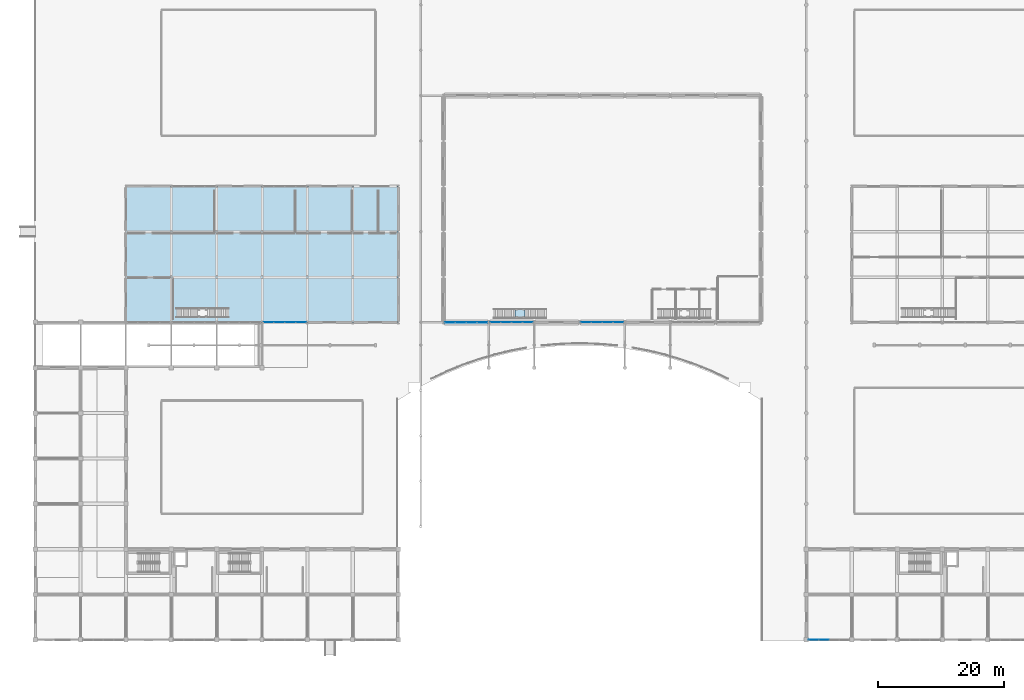
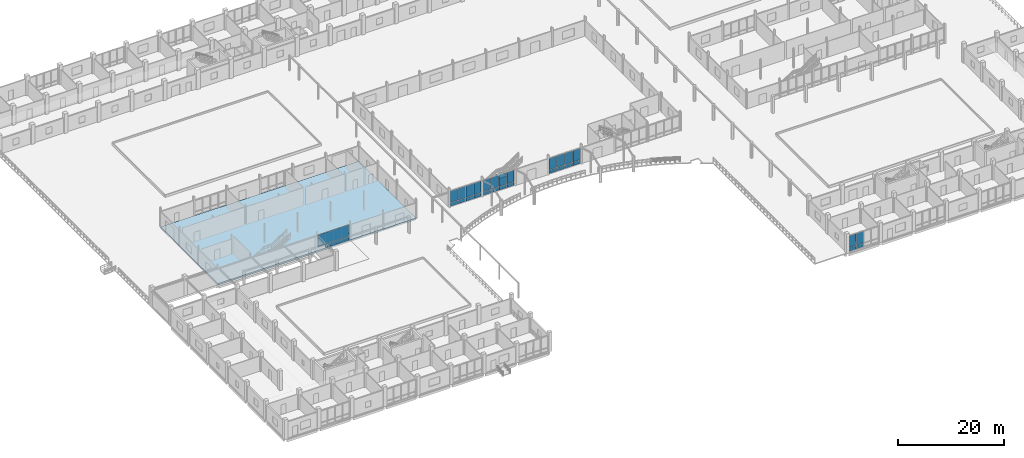
# One storey, part 102 of 139: 35 plates, 2 slabs, 6 elements without a shape of their own.
"""IFC4 building model written with IfcOpenShell, lengths in metres."""

import ifcopenshell
import ifcopenshell.guid

model = None  # the IFC model being written
_history = None  # IfcOwnerHistory: only IFC2X3 demands one
_inside = {}  # id of a spatial element -> (the spatial element, [elements in it])
_under = {}  # id of a project, library or spatial element -> (it, [spatial elements below it])
_declared = {}  # id of a project -> (the project, [libraries it declares])
_typed = {}  # id of a type object -> (the type object, [elements of that type])
_made_of = {}  # id of a material, layer set ... -> (it, [elements and type objects made of it])


def new_model(schema):
    """Start an empty IFC model of exactly this schema.

    Asked for "IFC4X3", IfcOpenShell would pick the latest addendum, in which some entities
    have other attributes; the version numbers below select the first issue.
    IFC2X3 requires an IfcOwnerHistory on every rooted entity: one is made here for all.
    """
    global model, _history
    if schema == "IFC4X3":
        model = ifcopenshell.file(schema_version=(4, 3, 0, 0))
    else:
        model = ifcopenshell.file(schema=schema)
    _inside.clear()
    _under.clear()
    _declared.clear()
    _typed.clear()
    _made_of.clear()
    _history = None
    if model.schema == "IFC2X3":
        org = make("IfcOrganization", Name="unknown")
        user = make(
            "IfcPersonAndOrganization",
            ThePerson=make("IfcPerson", FamilyName="unknown"),
            TheOrganization=org,
        )
        app = make(
            "IfcApplication",
            ApplicationDeveloper=org,
            Version="unknown",
            ApplicationFullName="unknown",
            ApplicationIdentifier="unknown",
        )
        _history = make(
            "IfcOwnerHistory",
            OwningUser=user,
            OwningApplication=app,
            ChangeAction="ADDED",
            CreationDate=0,
        )
    return model


def make(cls, **values):
    """One entity of the class cls with the attributes given. An attribute that is None is left unset."""
    return model.create_entity(
        cls, **{name: value for name, value in values.items() if value is not None}
    )


def rooted(cls, **values):
    """An entity with a GlobalId (a new one), such as an element, a storey or a relation."""
    return make(cls, GlobalId=ifcopenshell.guid.new(), OwnerHistory=_history, **values)


def si_unit(unit_type, name, prefix=None):
    """IfcSIUnit, for example si_unit("LENGTHUNIT", "METRE", prefix="MILLI")."""
    return make("IfcSIUnit", UnitType=unit_type, Prefix=prefix, Name=name)


def assignment(units):
    """IfcUnitAssignment: the units of a project."""
    return None if units is None else make("IfcUnitAssignment", Units=units)


def point(xyz):
    """IfcCartesianPoint."""
    return None if xyz is None else make("IfcCartesianPoint", Coordinates=xyz)


def direction(xyz):
    """IfcDirection."""
    return None if xyz is None else make("IfcDirection", DirectionRatios=xyz)


def frame(location, z_axis=None, x_axis=None):
    """IfcAxis2Placement3D, a coordinate frame: its origin and axes. An axis left out is left unset."""
    return make(
        "IfcAxis2Placement3D",
        Location=point(location),
        Axis=direction(z_axis),
        RefDirection=direction(x_axis),
    )


def frame_2d(location, x_axis=None):
    """IfcAxis2Placement2D, a coordinate frame in the plane: its origin and x axis."""
    return make(
        "IfcAxis2Placement2D", Location=point(location), RefDirection=direction(x_axis)
    )


def origin():
    """The frame at (0, 0, 0) with its axes left unset."""
    return frame((0.0, 0.0, 0.0))


def origin_2d():
    """The frame at (0, 0) in the plane with its x axis left unset."""
    return frame_2d((0.0, 0.0))


def place(relative_to, where):
    """IfcLocalPlacement: puts the frame where relative to a parent placement (None: the world)."""
    return make(
        "IfcLocalPlacement", PlacementRelTo=relative_to, RelativePlacement=where
    )


def context(
    kind, dimensions, precision=None, world=None, true_north=None, identifier=None
):
    """IfcGeometricRepresentationContext, for example the 3D "Model" context."""
    return make(
        "IfcGeometricRepresentationContext",
        ContextIdentifier=identifier,
        ContextType=kind,
        CoordinateSpaceDimension=dimensions,
        Precision=precision,
        WorldCoordinateSystem=world,
        TrueNorth=true_north,
    )


def subcontext(parent, identifier, kind, view, scale=None):
    """IfcGeometricRepresentationSubContext, for example "Body" below "Model"."""
    return make(
        "IfcGeometricRepresentationSubContext",
        ContextIdentifier=identifier,
        ContextType=kind,
        ParentContext=parent,
        TargetScale=scale,
        TargetView=view,
    )


def project(units=None, contexts=None):
    """IfcProject with its units and contexts."""
    return rooted(
        "IfcProject",
        Name="project",
        RepresentationContexts=contexts,
        UnitsInContext=assignment(units),
    )


def spatial(cls, under=None, at=None, **own):
    """A site, building, storey or space (cls), placed at a placement, below another one or the project."""
    s = rooted(cls, ObjectPlacement=at, **own)
    if under is not None:
        _under.setdefault(under.id(), (under, []))[1].append(s)
    return s


def polyline(points):
    """IfcPolyline through the points."""
    return make("IfcPolyline", Points=[point(p) for p in points])


def profile(cls, at=None, kind="AREA", **sizes):
    """A parametric profile (cls). Its sizes go by their IFC names, for example OverallWidth=200.0."""
    return make(cls, ProfileType=kind, Position=at, **sizes)


def rectangle(**sizes):
    """IfcRectangleProfileDef."""
    return profile("IfcRectangleProfileDef", **sizes)


def outline(outer, holes=None, kind="AREA"):
    """IfcArbitraryClosedProfileDef: a profile drawn as a closed curve; with holes, ...WithVoids."""
    if holes is None:
        return make("IfcArbitraryClosedProfileDef", ProfileType=kind, OuterCurve=outer)
    return make(
        "IfcArbitraryProfileDefWithVoids",
        ProfileType=kind,
        OuterCurve=outer,
        InnerCurves=holes,
    )


def extrude(swept, where, along, depth):
    """IfcExtrudedAreaSolid: the profile swept, set in the frame where, extruded along a direction by depth."""
    return make(
        "IfcExtrudedAreaSolid",
        SweptArea=swept,
        Position=where,
        ExtrudedDirection=direction(along),
        Depth=depth,
    )


def shape(context_of_items, identifier, shape_type, items):
    """IfcShapeRepresentation: the items that make up one representation, for example the "Body"."""
    return make(
        "IfcShapeRepresentation",
        ContextOfItems=context_of_items,
        RepresentationIdentifier=identifier,
        RepresentationType=shape_type,
        Items=items,
    )


def material(Name=None, Category=None):
    """IfcMaterial."""
    return make("IfcMaterial", Name=Name, Category=Category)


def layer(
    of_material, thickness, ventilated=None, Name=None, Category=None, Priority=None
):
    """IfcMaterialLayer: one layer of a wall or slab, of a material (None: an air gap)."""
    return make(
        "IfcMaterialLayer",
        Material=of_material,
        LayerThickness=thickness,
        IsVentilated=ventilated,
        Name=Name,
        Category=Category,
        Priority=Priority,
    )


def layer_set(layers, Name=None):
    """IfcMaterialLayerSet."""
    return make("IfcMaterialLayerSet", MaterialLayers=layers, LayerSetName=Name)


def made_of(thing, what):
    """Note that an element or type object is made of a material, layer set ...; save() writes the relation."""
    if what is not None:
        _made_of.setdefault(what.id(), (what, []))[1].append(thing)
    return thing


def type_object(cls, material=None, **own):
    """A type object (cls), such as IfcWallType, which elements share."""
    return made_of(rooted(cls, **own), material)


def element(
    cls,
    number,
    at=None,
    inside=None,
    cuts=None,
    type_object=None,
    material=None,
    context=None,
    identifier="Body",
    shape_type=None,
    held_by="IfcProductDefinitionShape",
    body=None,
    shapes=None,
    **own,
):
    """One element of the class cls, such as IfcWall. Its Tag is "e" and its number.

    at: its placement. inside: the storey or other place that contains it. cuts: it is an
    opening in that element (IfcRelVoidsElement). A single representation is given by context,
    identifier, shape_type and body (its items); several are given by shapes. held_by: the class
    of the entity that holds the representations. save() writes the other relations.
    """
    e = rooted(cls, Tag="e%d" % number, ObjectPlacement=at, **own)
    if body is not None:
        shapes = [shape(context, identifier, shape_type, body)]
    if shapes is not None:
        e.Representation = make(held_by, Representations=shapes)
    if inside is not None:
        _inside.setdefault(inside.id(), (inside, []))[1].append(e)
    if cuts is not None:
        rooted(
            "IfcRelVoidsElement", RelatingBuildingElement=cuts, RelatedOpeningElement=e
        )
    if type_object is not None:
        _typed.setdefault(type_object.id(), (type_object, []))[1].append(e)
    return made_of(e, material)


def aggregate(whole, parts):
    """IfcRelAggregates: a whole, such as a stair, and the parts it consists of."""
    return rooted("IfcRelAggregates", RelatingObject=whole, RelatedObjects=parts)


def save(model, path):
    """Write the relations noted so far, then the file.

    IfcRelAggregates (storeys below a building ...), IfcRelContainedInSpatialStructure (elements
    in a storey), IfcRelDefinesByType, IfcRelAssociatesMaterial and IfcRelDeclares: one each for
    every whole, place, type object, material and project.
    """
    for whole, parts in _under.values():
        aggregate(whole, parts)
    for where, things in _inside.values():
        rooted(
            "IfcRelContainedInSpatialStructure",
            RelatedElements=things,
            RelatingStructure=where,
        )
    for kind, things in _typed.values():
        rooted("IfcRelDefinesByType", RelatedObjects=things, RelatingType=kind)
    for what, things in _made_of.values():
        rooted("IfcRelAssociatesMaterial", RelatedObjects=things, RelatingMaterial=what)
    for by, libraries in _declared.values():
        rooted("IfcRelDeclares", RelatingContext=by, RelatedDefinitions=libraries)
    model.write(path)


model = new_model("IFC4")

# Units and contexts
model_context = context("Model", 3, precision=1e-05, world=origin(), true_north=direction((0.0, 1.0)))
body_context = subcontext(model_context, "Body", "Model", "MODEL_VIEW")
ifc_project = project(units=[si_unit("LENGTHUNIT", "METRE"), si_unit("AREAUNIT", "SQUARE_METRE"), si_unit("VOLUMEUNIT", "CUBIC_METRE"), si_unit("PLANEANGLEUNIT", "RADIAN"), si_unit("MASSUNIT", "GRAM", prefix="KILO")], contexts=[model_context])

# Site, building, storey
site_placement = place(None, origin())
site = spatial("IfcSite", under=ifc_project, at=site_placement, CompositionType="ELEMENT")
building_placement = place(site_placement, origin())
building = spatial("IfcBuilding", under=site, at=building_placement, Name="Suanplinth Sawtooth Commons", CompositionType="ELEMENT")
storey_placement = place(building_placement, origin())
storey = spatial("IfcBuildingStorey", under=building, at=storey_placement, Name="L00", CompositionType="ELEMENT", Elevation=0.0)

# Curtain wall, plates
ifc_material_1 = material(Name="Anodized aluminium and low-E glazing", Category="aluminium")
curtain_wall_type_1 = type_object("IfcCurtainWallType", Name="CW-02", PredefinedType="USERDEFINED", material=ifc_material_1)
curtain_wall_1_placement = place(storey_placement, origin())
curtain_wall_1 = element("IfcCurtainWall", 1, at=curtain_wall_1_placement, inside=storey, type_object=curtain_wall_type_1, Name="Curtain Wall CW-L00-MKT-S-5", ObjectType="CURTAIN WALL", PredefinedType="USERDEFINED")
ifc_material_2 = material(Name="Tempered low-E double glazing", Category="glass")
ifc_layer_1 = layer(ifc_material_2, 0.028076171875, Name="Vision low-E insulated glazing unit 28mm")
ifc_layer_set_1 = layer_set([ifc_layer_1], Name="Tempered low-E double glazing")
plate_type_1 = type_object("IfcPlateType", Name="PL-05", PredefinedType="CURTAIN_PANEL", material=ifc_layer_set_1)
plate_1_placement = place(storey_placement, frame((37.02880859375, 50.39990234375, 0.9326171875), z_axis=(0.0, 0.0, 1.0), x_axis=(1.0, 0.0, 0.0)))
plate_1 = element("IfcPlate", 2, at=plate_1_placement, type_object=plate_type_1, Name="CW-02 panel 1.2", PredefinedType="CURTAIN_PANEL", context=body_context, shape_type="SweptSolid", body=[
    extrude(rectangle(XDim=1.62744140625, YDim=0.028076171875, at=origin_2d()), origin(), (0.0, 0.0, 1.0), 2.652587890625),
])
plate_2_placement = place(storey_placement, frame((38.737548828125, 50.39990234375, 0.06494140625), z_axis=(0.0, 0.0, 1.0), x_axis=(1.0, 0.0, 0.0)))
plate_2 = element("IfcPlate", 3, at=plate_2_placement, type_object=plate_type_1, Name="CW-02 panel 2.1", PredefinedType="CURTAIN_PANEL", context=body_context, shape_type="SweptSolid", body=[
    extrude(rectangle(XDim=1.659912109375, YDim=0.028076171875, at=origin_2d()), origin(), (0.0, 0.0, 1.0), 0.802490234375),
])
plate_3_placement = place(storey_placement, frame((38.737548828125, 50.39990234375, 0.9326171875), z_axis=(0.0, 0.0, 1.0), x_axis=(1.0, 0.0, 0.0)))
plate_3 = element("IfcPlate", 4, at=plate_3_placement, type_object=plate_type_1, Name="CW-02 panel 2.2", PredefinedType="CURTAIN_PANEL", context=body_context, shape_type="SweptSolid", body=[
    extrude(rectangle(XDim=1.659912109375, YDim=0.028076171875, at=origin_2d()), origin(), (0.0, 0.0, 1.0), 2.652587890625),
])
plate_4_placement = place(storey_placement, frame((40.46240234375, 50.39990234375, 0.06494140625), z_axis=(0.0, 0.0, 1.0), x_axis=(1.0, 0.0, 0.0)))
plate_4 = element("IfcPlate", 5, at=plate_4_placement, type_object=plate_type_1, Name="CW-02 panel 3.1", PredefinedType="CURTAIN_PANEL", context=body_context, shape_type="SweptSolid", body=[
    extrude(rectangle(XDim=1.659912109375, YDim=0.028076171875, at=origin_2d()), origin(), (0.0, 0.0, 1.0), 0.802490234375),
])
plate_5_placement = place(storey_placement, frame((40.46240234375, 50.39990234375, 0.9326171875), z_axis=(0.0, 0.0, 1.0), x_axis=(1.0, 0.0, 0.0)))
plate_5 = element("IfcPlate", 6, at=plate_5_placement, type_object=plate_type_1, Name="CW-02 panel 3.2", PredefinedType="CURTAIN_PANEL", context=body_context, shape_type="SweptSolid", body=[
    extrude(rectangle(XDim=1.659912109375, YDim=0.028076171875, at=origin_2d()), origin(), (0.0, 0.0, 1.0), 2.652587890625),
])
plate_6_placement = place(storey_placement, frame((42.171142578125, 50.39990234375, 0.06494140625), z_axis=(0.0, 0.0, 1.0), x_axis=(1.0, 0.0, 0.0)))
plate_6 = element("IfcPlate", 7, at=plate_6_placement, type_object=plate_type_1, Name="CW-02 panel 4.1", PredefinedType="CURTAIN_PANEL", context=body_context, shape_type="SweptSolid", body=[
    extrude(rectangle(XDim=1.62744140625, YDim=0.028076171875, at=origin_2d()), origin(), (0.0, 0.0, 1.0), 0.802490234375),
])
plate_7_placement = place(storey_placement, frame((42.171142578125, 50.39990234375, 0.9326171875), z_axis=(0.0, 0.0, 1.0), x_axis=(1.0, 0.0, 0.0)))
plate_7 = element("IfcPlate", 8, at=plate_7_placement, type_object=plate_type_1, Name="CW-02 panel 4.2", PredefinedType="CURTAIN_PANEL", context=body_context, shape_type="SweptSolid", body=[
    extrude(rectangle(XDim=1.62744140625, YDim=0.028076171875, at=origin_2d()), origin(), (0.0, 0.0, 1.0), 2.652587890625),
])
aggregate(curtain_wall_1, [plate_1, plate_2, plate_3, plate_4, plate_5, plate_6, plate_7])

curtain_wall_type_2 = type_object("IfcCurtainWallType", Name="CW-04", PredefinedType="USERDEFINED", material=ifc_material_1)
curtain_wall_2_placement = place(storey_placement, origin())
curtain_wall_2 = element("IfcCurtainWall", 9, at=curtain_wall_2_placement, inside=storey, type_object=curtain_wall_type_2, Name="Curtain Wall CW-L00-C-S-17", ObjectType="CURTAIN WALL", PredefinedType="USERDEFINED")
plate_8_placement = place(storey_placement, frame((123.578857421875, 0.0, 0.06494140625), z_axis=(0.0, 0.0, 1.0), x_axis=(1.0, 0.0, 0.0)))
plate_8 = element("IfcPlate", 10, at=plate_8_placement, type_object=plate_type_1, Name="CW-04 panel 1.1", PredefinedType="CURTAIN_PANEL", context=body_context, shape_type="SweptSolid", body=[
    extrude(rectangle(XDim=1.527587890625, YDim=0.028076171875, at=origin_2d()), origin(), (0.0, 0.0, 1.0), 0.802490234375),
])
plate_9_placement = place(storey_placement, frame((123.578857421875, 0.0, 0.932373046875), z_axis=(0.0, 0.0, 1.0), x_axis=(1.0, 0.0, 0.0)))
plate_9 = element("IfcPlate", 11, at=plate_9_placement, type_object=plate_type_1, Name="CW-04 panel 1.2", PredefinedType="CURTAIN_PANEL", context=body_context, shape_type="SweptSolid", body=[
    extrude(rectangle(XDim=1.527587890625, YDim=0.028076171875, at=origin_2d()), origin(), (0.0, 0.0, 1.0), 2.6826171875),
])
plate_10_placement = place(storey_placement, frame((125.1875, 0.0, 0.06494140625), z_axis=(0.0, 0.0, 1.0), x_axis=(1.0, 0.0, 0.0)))
plate_10 = element("IfcPlate", 12, at=plate_10_placement, type_object=plate_type_1, Name="CW-04 panel 2.1", PredefinedType="CURTAIN_PANEL", context=body_context, shape_type="SweptSolid", body=[
    extrude(rectangle(XDim=1.56005859375, YDim=0.028076171875, at=origin_2d()), origin(), (0.0, 0.0, 1.0), 0.802490234375),
])
plate_11_placement = place(storey_placement, frame((125.1875, 0.0, 0.932373046875), z_axis=(0.0, 0.0, 1.0), x_axis=(1.0, 0.0, 0.0)))
plate_11 = element("IfcPlate", 13, at=plate_11_placement, type_object=plate_type_1, Name="CW-04 panel 2.2", PredefinedType="CURTAIN_PANEL", context=body_context, shape_type="SweptSolid", body=[
    extrude(rectangle(XDim=1.56005859375, YDim=0.028076171875, at=origin_2d()), origin(), (0.0, 0.0, 1.0), 2.6826171875),
])
aggregate(curtain_wall_2, [plate_8, plate_9, plate_10, plate_11])

curtain_wall_type_3 = type_object("IfcCurtainWallType", Name="CW-01", PredefinedType="USERDEFINED", material=ifc_material_1)
curtain_wall_3_placement = place(storey_placement, origin())
curtain_wall_3 = element("IfcCurtainWall", 14, at=curtain_wall_3_placement, inside=storey, type_object=curtain_wall_type_3, Name="Curtain Wall CW-L00-HALL-S-1", ObjectType="CURTAIN WALL", PredefinedType="USERDEFINED")
ifc_material_3 = material(Name="Laminated solar-control acoustic glazing", Category="glass")
ifc_layer_2 = layer(ifc_material_3, 0.031982421875, Name="Acoustic laminated vision glazing panel 32mm")
ifc_layer_set_2 = layer_set([ifc_layer_2], Name="Laminated solar-control acoustic glazing")
plate_type_2 = type_object("IfcPlateType", Name="PL-06", PredefinedType="CURTAIN_PANEL", material=ifc_layer_set_2)
plate_12_placement = place(storey_placement, frame((73.03125, 50.39990234375, 0.074951171875), z_axis=(0.0, 0.0, 1.0), x_axis=(1.0, 0.0, 0.0)))
plate_12 = element("IfcPlate", 15, at=plate_12_placement, type_object=plate_type_2, Name="CW-01 panel 1.1", PredefinedType="CURTAIN_PANEL", context=body_context, shape_type="SweptSolid", body=[
    extrude(rectangle(XDim=1.612548828125, YDim=0.031982421875, at=origin_2d()), origin(), (0.0, 0.0, 1.0), 0.78759765625),
])
plate_13_placement = place(storey_placement, frame((73.03125, 50.39990234375, 0.9375), z_axis=(0.0, 0.0, 1.0), x_axis=(1.0, 0.0, 0.0)))
plate_13 = element("IfcPlate", 16, at=plate_13_placement, type_object=plate_type_2, Name="CW-01 panel 1.2", PredefinedType="CURTAIN_PANEL", context=body_context, shape_type="SweptSolid", body=[
    extrude(rectangle(XDim=1.612548828125, YDim=0.031982421875, at=origin_2d()), origin(), (0.0, 0.0, 1.0), 2.637451171875),
])
plate_14_placement = place(storey_placement, frame((74.737548828125, 50.39990234375, 0.074951171875), z_axis=(0.0, 0.0, 1.0), x_axis=(1.0, 0.0, 0.0)))
plate_14 = element("IfcPlate", 17, at=plate_14_placement, type_object=plate_type_2, Name="CW-01 panel 2.1", PredefinedType="CURTAIN_PANEL", context=body_context, shape_type="SweptSolid", body=[
    extrude(rectangle(XDim=1.64990234375, YDim=0.031982421875, at=origin_2d()), origin(), (0.0, 0.0, 1.0), 0.78759765625),
])
plate_15_placement = place(storey_placement, frame((74.737548828125, 50.39990234375, 0.9375), z_axis=(0.0, 0.0, 1.0), x_axis=(1.0, 0.0, 0.0)))
plate_15 = element("IfcPlate", 18, at=plate_15_placement, type_object=plate_type_2, Name="CW-01 panel 2.2", PredefinedType="CURTAIN_PANEL", context=body_context, shape_type="SweptSolid", body=[
    extrude(rectangle(XDim=1.64990234375, YDim=0.031982421875, at=origin_2d()), origin(), (0.0, 0.0, 1.0), 2.637451171875),
])
plate_16_placement = place(storey_placement, frame((76.46240234375, 50.39990234375, 0.074951171875), z_axis=(0.0, 0.0, 1.0), x_axis=(1.0, 0.0, 0.0)))
plate_16 = element("IfcPlate", 19, at=plate_16_placement, type_object=plate_type_2, Name="CW-01 panel 3.1", PredefinedType="CURTAIN_PANEL", context=body_context, shape_type="SweptSolid", body=[
    extrude(rectangle(XDim=1.64990234375, YDim=0.031982421875, at=origin_2d()), origin(), (0.0, 0.0, 1.0), 0.78759765625),
])
plate_17_placement = place(storey_placement, frame((76.46240234375, 50.39990234375, 0.9375), z_axis=(0.0, 0.0, 1.0), x_axis=(1.0, 0.0, 0.0)))
plate_17 = element("IfcPlate", 20, at=plate_17_placement, type_object=plate_type_2, Name="CW-01 panel 3.2", PredefinedType="CURTAIN_PANEL", context=body_context, shape_type="SweptSolid", body=[
    extrude(rectangle(XDim=1.64990234375, YDim=0.031982421875, at=origin_2d()), origin(), (0.0, 0.0, 1.0), 2.637451171875),
])
plate_18_placement = place(storey_placement, frame((78.168701171875, 50.39990234375, 0.074951171875), z_axis=(0.0, 0.0, 1.0), x_axis=(1.0, 0.0, 0.0)))
plate_18 = element("IfcPlate", 21, at=plate_18_placement, type_object=plate_type_2, Name="CW-01 panel 4.1", PredefinedType="CURTAIN_PANEL", context=body_context, shape_type="SweptSolid", body=[
    extrude(rectangle(XDim=1.612548828125, YDim=0.031982421875, at=origin_2d()), origin(), (0.0, 0.0, 1.0), 0.78759765625),
])
plate_19_placement = place(storey_placement, frame((78.168701171875, 50.39990234375, 0.9375), z_axis=(0.0, 0.0, 1.0), x_axis=(1.0, 0.0, 0.0)))
plate_19 = element("IfcPlate", 22, at=plate_19_placement, type_object=plate_type_2, Name="CW-01 panel 4.2", PredefinedType="CURTAIN_PANEL", context=body_context, shape_type="SweptSolid", body=[
    extrude(rectangle(XDim=1.612548828125, YDim=0.031982421875, at=origin_2d()), origin(), (0.0, 0.0, 1.0), 2.637451171875),
])
aggregate(curtain_wall_3, [plate_12, plate_13, plate_14, plate_15, plate_16, plate_17, plate_18, plate_19])

curtain_wall_4_placement = place(storey_placement, origin())
curtain_wall_4 = element("IfcCurtainWall", 23, at=curtain_wall_4_placement, inside=storey, type_object=curtain_wall_type_3, Name="Curtain Wall CW-L00-HALL-S-3", ObjectType="CURTAIN WALL", PredefinedType="USERDEFINED")
plate_20_placement = place(storey_placement, frame((87.43115234375, 50.39990234375, 0.074951171875), z_axis=(0.0, 0.0, 1.0), x_axis=(1.0, 0.0, 0.0)))
plate_20 = element("IfcPlate", 24, at=plate_20_placement, type_object=plate_type_2, Name="CW-01 panel 1.1", PredefinedType="CURTAIN_PANEL", context=body_context, shape_type="SweptSolid", body=[
    extrude(rectangle(XDim=1.612548828125, YDim=0.031982421875, at=origin_2d()), origin(), (0.0, 0.0, 1.0), 0.78759765625),
])
plate_21_placement = place(storey_placement, frame((87.43115234375, 50.39990234375, 0.9375), z_axis=(0.0, 0.0, 1.0), x_axis=(1.0, 0.0, 0.0)))
plate_21 = element("IfcPlate", 25, at=plate_21_placement, type_object=plate_type_2, Name="CW-01 panel 1.2", PredefinedType="CURTAIN_PANEL", context=body_context, shape_type="SweptSolid", body=[
    extrude(rectangle(XDim=1.612548828125, YDim=0.031982421875, at=origin_2d()), origin(), (0.0, 0.0, 1.0), 2.637451171875),
])
plate_22_placement = place(storey_placement, frame((89.137451171875, 50.39990234375, 0.074951171875), z_axis=(0.0, 0.0, 1.0), x_axis=(1.0, 0.0, 0.0)))
plate_22 = element("IfcPlate", 26, at=plate_22_placement, type_object=plate_type_2, Name="CW-01 panel 2.1", PredefinedType="CURTAIN_PANEL", context=body_context, shape_type="SweptSolid", body=[
    extrude(rectangle(XDim=1.64990234375, YDim=0.031982421875, at=origin_2d()), origin(), (0.0, 0.0, 1.0), 0.78759765625),
])
plate_23_placement = place(storey_placement, frame((89.137451171875, 50.39990234375, 0.9375), z_axis=(0.0, 0.0, 1.0), x_axis=(1.0, 0.0, 0.0)))
plate_23 = element("IfcPlate", 27, at=plate_23_placement, type_object=plate_type_2, Name="CW-01 panel 2.2", PredefinedType="CURTAIN_PANEL", context=body_context, shape_type="SweptSolid", body=[
    extrude(rectangle(XDim=1.64990234375, YDim=0.031982421875, at=origin_2d()), origin(), (0.0, 0.0, 1.0), 2.637451171875),
])
plate_24_placement = place(storey_placement, frame((90.862548828125, 50.39990234375, 0.074951171875), z_axis=(0.0, 0.0, 1.0), x_axis=(1.0, 0.0, 0.0)))
plate_24 = element("IfcPlate", 28, at=plate_24_placement, type_object=plate_type_2, Name="CW-01 panel 3.1", PredefinedType="CURTAIN_PANEL", context=body_context, shape_type="SweptSolid", body=[
    extrude(rectangle(XDim=1.64990234375, YDim=0.031982421875, at=origin_2d()), origin(), (0.0, 0.0, 1.0), 0.78759765625),
])
plate_25_placement = place(storey_placement, frame((90.862548828125, 50.39990234375, 0.9375), z_axis=(0.0, 0.0, 1.0), x_axis=(1.0, 0.0, 0.0)))
plate_25 = element("IfcPlate", 29, at=plate_25_placement, type_object=plate_type_2, Name="CW-01 panel 3.2", PredefinedType="CURTAIN_PANEL", context=body_context, shape_type="SweptSolid", body=[
    extrude(rectangle(XDim=1.64990234375, YDim=0.031982421875, at=origin_2d()), origin(), (0.0, 0.0, 1.0), 2.637451171875),
])
plate_26_placement = place(storey_placement, frame((92.56884765625, 50.39990234375, 0.074951171875), z_axis=(0.0, 0.0, 1.0), x_axis=(1.0, 0.0, 0.0)))
plate_26 = element("IfcPlate", 30, at=plate_26_placement, type_object=plate_type_2, Name="CW-01 panel 4.1", PredefinedType="CURTAIN_PANEL", context=body_context, shape_type="SweptSolid", body=[
    extrude(rectangle(XDim=1.612548828125, YDim=0.031982421875, at=origin_2d()), origin(), (0.0, 0.0, 1.0), 0.78759765625),
])
plate_27_placement = place(storey_placement, frame((92.56884765625, 50.39990234375, 0.9375), z_axis=(0.0, 0.0, 1.0), x_axis=(1.0, 0.0, 0.0)))
plate_27 = element("IfcPlate", 31, at=plate_27_placement, type_object=plate_type_2, Name="CW-01 panel 4.2", PredefinedType="CURTAIN_PANEL", context=body_context, shape_type="SweptSolid", body=[
    extrude(rectangle(XDim=1.612548828125, YDim=0.031982421875, at=origin_2d()), origin(), (0.0, 0.0, 1.0), 2.637451171875),
])
aggregate(curtain_wall_4, [plate_20, plate_21, plate_22, plate_23, plate_24, plate_25, plate_26, plate_27])

curtain_wall_5_placement = place(storey_placement, origin())
curtain_wall_5 = element("IfcCurtainWall", 32, at=curtain_wall_5_placement, inside=storey, type_object=curtain_wall_type_3, Name="Curtain Wall CW-L00-HALL-S-0", ObjectType="CURTAIN WALL", PredefinedType="USERDEFINED")
ifc_material_4 = material(Name="Insulated anodized aluminium spandrel panel", Category="aluminium")
ifc_layer_3 = layer(ifc_material_4, 0.0400390625, Name="Insulated shadow-box spandrel panel 40mm")
ifc_layer_set_3 = layer_set([ifc_layer_3], Name="Insulated anodized aluminium spandrel panel")
plate_type_3 = type_object("IfcPlateType", Name="PL-08", PredefinedType="CURTAIN_PANEL", material=ifc_layer_set_3)
plate_28_placement = place(storey_placement, frame((65.831298828125, 50.39990234375, 0.074951171875), z_axis=(0.0, 0.0, 1.0), x_axis=(1.0, 0.0, 0.0)))
plate_28 = element("IfcPlate", 33, at=plate_28_placement, type_object=plate_type_3, Name="CW-01 panel 1.1", PredefinedType="CURTAIN_PANEL", context=body_context, shape_type="SweptSolid", body=[
    extrude(rectangle(XDim=1.612548828125, YDim=0.0400390625, at=origin_2d()), origin(), (0.0, 0.0, 1.0), 0.78759765625),
])
plate_29_placement = place(storey_placement, frame((65.831298828125, 50.39990234375, 0.9375), z_axis=(0.0, 0.0, 1.0), x_axis=(1.0, 0.0, 0.0)))
plate_29 = element("IfcPlate", 34, at=plate_29_placement, type_object=plate_type_3, Name="CW-01 panel 1.2", PredefinedType="CURTAIN_PANEL", context=body_context, shape_type="SweptSolid", body=[
    extrude(rectangle(XDim=1.612548828125, YDim=0.0400390625, at=origin_2d()), origin(), (0.0, 0.0, 1.0), 2.637451171875),
])
plate_30_placement = place(storey_placement, frame((67.53759765625, 50.39990234375, 0.074951171875), z_axis=(0.0, 0.0, 1.0), x_axis=(1.0, 0.0, 0.0)))
plate_30 = element("IfcPlate", 35, at=plate_30_placement, type_object=plate_type_3, Name="CW-01 panel 2.1", PredefinedType="CURTAIN_PANEL", context=body_context, shape_type="SweptSolid", body=[
    extrude(rectangle(XDim=1.64990234375, YDim=0.0400390625, at=origin_2d()), origin(), (0.0, 0.0, 1.0), 0.78759765625),
])
plate_31_placement = place(storey_placement, frame((67.53759765625, 50.39990234375, 0.9375), z_axis=(0.0, 0.0, 1.0), x_axis=(1.0, 0.0, 0.0)))
plate_31 = element("IfcPlate", 36, at=plate_31_placement, type_object=plate_type_3, Name="CW-01 panel 2.2", PredefinedType="CURTAIN_PANEL", context=body_context, shape_type="SweptSolid", body=[
    extrude(rectangle(XDim=1.64990234375, YDim=0.0400390625, at=origin_2d()), origin(), (0.0, 0.0, 1.0), 2.637451171875),
])
plate_32_placement = place(storey_placement, frame((69.262451171875, 50.39990234375, 0.074951171875), z_axis=(0.0, 0.0, 1.0), x_axis=(1.0, 0.0, 0.0)))
plate_32 = element("IfcPlate", 37, at=plate_32_placement, type_object=plate_type_3, Name="CW-01 panel 3.1", PredefinedType="CURTAIN_PANEL", context=body_context, shape_type="SweptSolid", body=[
    extrude(rectangle(XDim=1.64990234375, YDim=0.0400390625, at=origin_2d()), origin(), (0.0, 0.0, 1.0), 0.78759765625),
])
plate_33_placement = place(storey_placement, frame((69.262451171875, 50.39990234375, 0.9375), z_axis=(0.0, 0.0, 1.0), x_axis=(1.0, 0.0, 0.0)))
plate_33 = element("IfcPlate", 38, at=plate_33_placement, type_object=plate_type_3, Name="CW-01 panel 3.2", PredefinedType="CURTAIN_PANEL", context=body_context, shape_type="SweptSolid", body=[
    extrude(rectangle(XDim=1.64990234375, YDim=0.0400390625, at=origin_2d()), origin(), (0.0, 0.0, 1.0), 2.637451171875),
])
plate_34_placement = place(storey_placement, frame((70.96875, 50.39990234375, 0.074951171875), z_axis=(0.0, 0.0, 1.0), x_axis=(1.0, 0.0, 0.0)))
plate_34 = element("IfcPlate", 39, at=plate_34_placement, type_object=plate_type_3, Name="CW-01 panel 4.1", PredefinedType="CURTAIN_PANEL", context=body_context, shape_type="SweptSolid", body=[
    extrude(rectangle(XDim=1.612548828125, YDim=0.0400390625, at=origin_2d()), origin(), (0.0, 0.0, 1.0), 0.78759765625),
])
plate_35_placement = place(storey_placement, frame((70.96875, 50.39990234375, 0.9375), z_axis=(0.0, 0.0, 1.0), x_axis=(1.0, 0.0, 0.0)))
plate_35 = element("IfcPlate", 40, at=plate_35_placement, type_object=plate_type_3, Name="CW-01 panel 4.2", PredefinedType="CURTAIN_PANEL", context=body_context, shape_type="SweptSolid", body=[
    extrude(rectangle(XDim=1.612548828125, YDim=0.0400390625, at=origin_2d()), origin(), (0.0, 0.0, 1.0), 2.637451171875),
])
aggregate(curtain_wall_5, [plate_28, plate_29, plate_30, plate_31, plate_32, plate_33, plate_34, plate_35])

# Stair, slab
ifc_material_5 = material(Name="Concrete C40/50", Category="concrete")
stair_type = type_object("IfcStairType", Name="ST-10", PredefinedType="STRAIGHT_RUN_STAIR", material=ifc_material_5)
stair_placement = place(storey_placement, origin())
stair = element("IfcStair", 41, at=stair_placement, inside=storey, type_object=stair_type, Name="Community Hall West Gallery Stair", PredefinedType="STRAIGHT_RUN_STAIR")
ifc_layer_4 = layer(ifc_material_5, 0.199951171875, Name="Reinforced concrete stair and ramp landing slab 200mm")
ifc_layer_set_4 = layer_set([ifc_layer_4], Name="Concrete C40/50")
slab_type_1 = type_object("IfcSlabType", Name="S-LD01", PredefinedType="LANDING", material=ifc_layer_set_4)
slab_1_placement = place(storey_placement, frame((0.0, 0.0, 2.050048828125)))
slab_1 = element("IfcSlab", 42, at=slab_1_placement, type_object=slab_type_1, Name="ST-10 landing 1", PredefinedType="LANDING", context=body_context, shape_type="SweptSolid", body=[
    extrude(outline(polyline([(76.159912109375, 51.050048828125), (77.760009765625, 51.050048828125), (77.760009765625, 52.550048828125), (76.159912109375, 52.550048828125), (76.159912109375, 51.050048828125)])), origin(), (0.0, 0.0, 1.0), 0.199951171875),
])
aggregate(stair, [slab_1])

# Slab
ifc_layer_5 = layer(ifc_material_5, 0.409912109375, Name="Ground flood-plinth RC floor slab 410mm")
ifc_layer_set_5 = layer_set([ifc_layer_5], Name="Concrete C40/50")
slab_type_2 = type_object("IfcSlabType", Name="S-PL01", PredefinedType="FLOOR", material=ifc_layer_set_5)
slab_2_placement = place(storey_placement, frame((0.0, 0.0, -0.409912109375)))
element("IfcSlab", 43, at=slab_2_placement, inside=storey, type_object=slab_type_2, Name="L00 West Cooperative Market Hall Floor", PredefinedType="FLOOR", context=body_context, shape_type="SweptSolid", body=[
    extrude(outline(polyline([(14.39990234375, 50.39990234375), (57.60009765625, 50.39990234375), (57.60009765625, 72.0), (14.39990234375, 72.0), (14.39990234375, 50.39990234375)])), origin(), (0.0, 0.0, 1.0), 0.409912109375),
])

save(model, "model.ifc")
